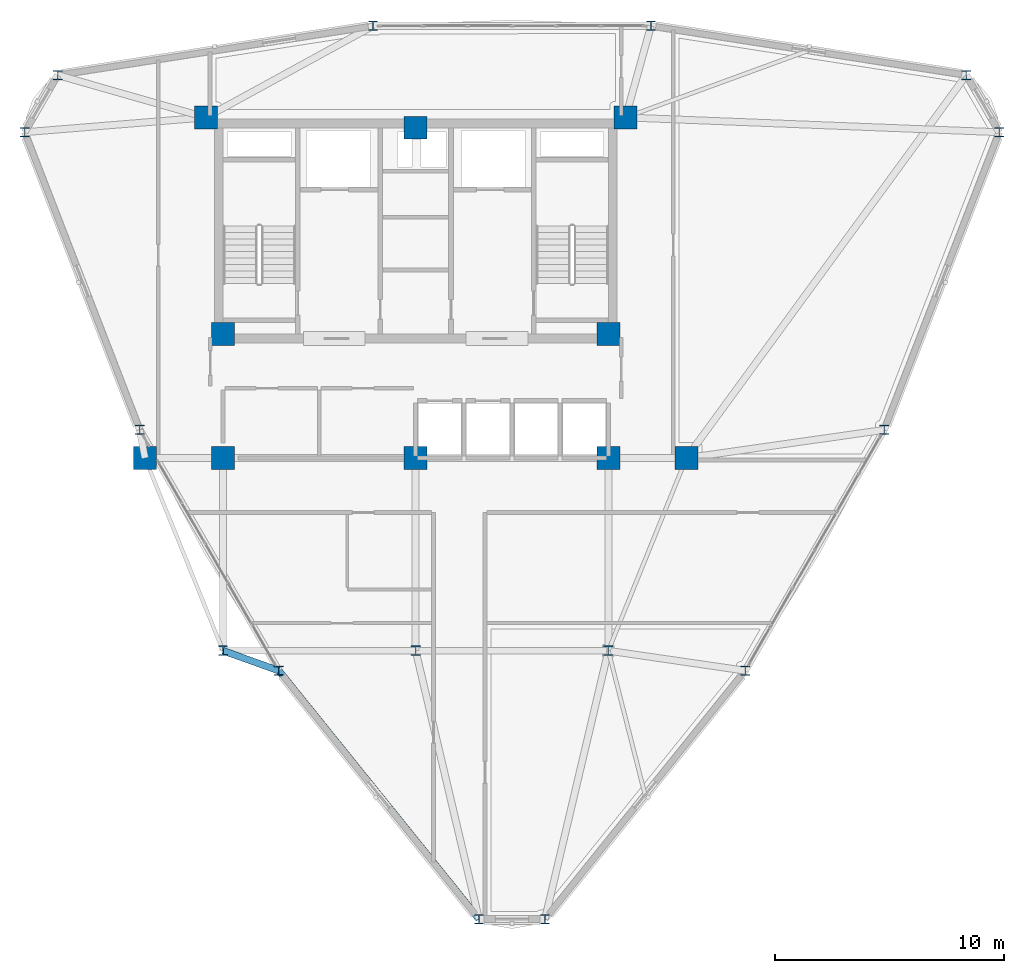
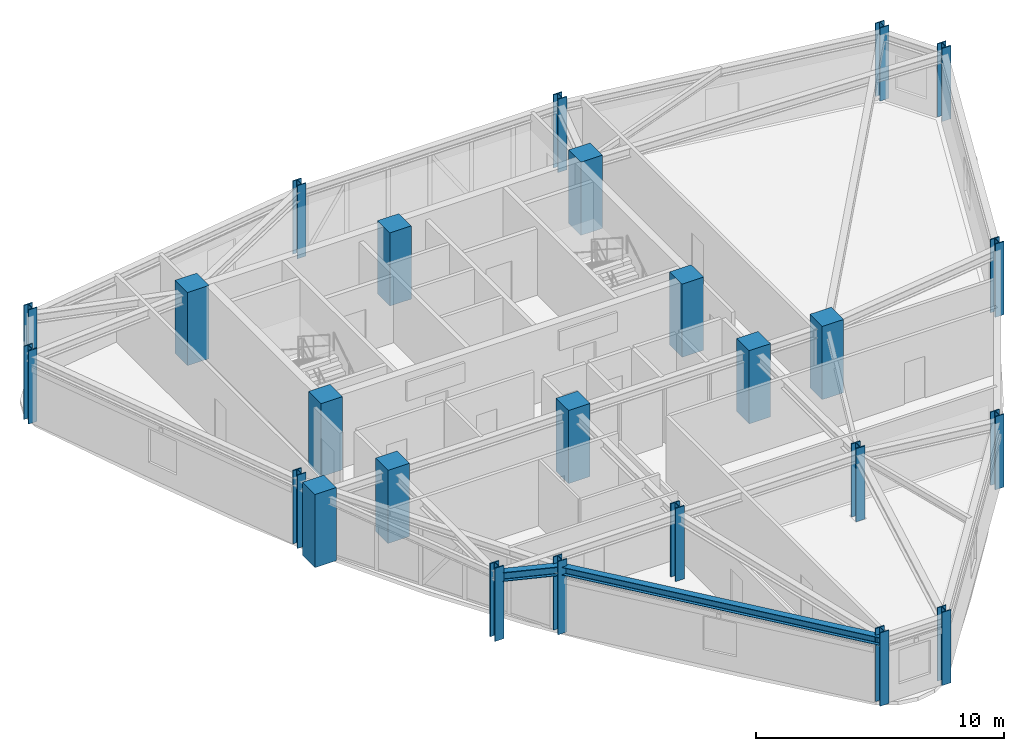
# One storey, part 1 of 16: 25 columns, 2 beams.
"""IFC4 building model written with IfcOpenShell, lengths in metres."""

from ifc_helpers import new_model, si_unit, derived_unit, direction, frame, origin, origin_2d, place, context, subcontext, project, spatial, rectangle, i_section, extrude, source, transform, mapped, material, material_profile, profile_set, type_object, element, save


model = new_model("IFC4")

# Units and contexts
model_context = context("Model", 3, precision=1e-05, world=origin(), true_north=direction((0.0, 1.0)))
body_context = subcontext(model_context, "Body", "Model", "MODEL_VIEW")
ifc_project = project(units=[si_unit("LENGTHUNIT", "METRE"), si_unit("AREAUNIT", "SQUARE_METRE"), si_unit("VOLUMEUNIT", "CUBIC_METRE"), si_unit("PLANEANGLEUNIT", "RADIAN"), si_unit("MASSUNIT", "GRAM", prefix="KILO"), derived_unit("THERMALTRANSMITTANCEUNIT", [(si_unit("POWERUNIT", "WATT"), 1), (si_unit("LENGTHUNIT", "METRE"), -2), (si_unit("THERMODYNAMICTEMPERATUREUNIT", "KELVIN"), -1)])], contexts=[model_context])

# Site, building, storey
site_placement = place(None, origin())
site = spatial("IfcSite", under=ifc_project, at=site_placement, CompositionType="ELEMENT")
building_placement = place(site_placement, origin())
building = spatial("IfcBuilding", under=site, at=building_placement, Name="Korsvarv Bourse and Concert Hall", CompositionType="ELEMENT")
storey_placement = place(building_placement, frame((0.0, 0.0, 234.60009765625)))
storey = spatial("IfcBuildingStorey", under=building, at=storey_placement, Name="L61", CompositionType="ELEMENT", Elevation=234.60009765625)

# Columns
ifc_material_1 = material(Name="Steel S355", Category="steel")
ifc_material_profile_1 = material_profile(ifc_material_1, i_section(OverallWidth=0.412109375, OverallDepth=0.43505859375, WebThickness=0.032958984375, FlangeThickness=0.052978515625, FilletRadius=0.014892578125, at=origin_2d()), Name="HD 400x463")
ifc_profile_set_1 = profile_set([ifc_material_profile_1], Name="Steel S355")
column_type_1 = type_object("IfcColumnType", Name="COL-HD463", PredefinedType="COLUMN", material=ifc_profile_set_1)
shared_shape_1 = source(origin(), body_context, "Body", "SweptSolid", [
    extrude(i_section(OverallWidth=0.412109375, OverallDepth=0.43505859375, WebThickness=0.032958984375, FlangeThickness=0.052978515625, FilletRadius=0.014892578125, at=origin_2d()), origin(), (0.0, 0.0, 1.0), 3.599853515625),
])
for number, where, z_axis, x_axis, name in (
    (1, (27.60009765625, 24.0, 0.0), (0.0, 0.0, 1.0), (1.0, 0.0, 0.0), "L61 column C-09"),
    (2, (44.39990234375, 24.0, 0.0), (0.0, 0.0, 1.0), (1.0, 0.0, 0.0), "L61 column C-09"),
    (3, (36.0, 24.0, 0.0), (0.0, 0.0, 1.0), (1.0, 0.0, 0.0), "L61 column C-09"),
):
    element("IfcColumn", number, at=place(storey_placement, frame(where, z_axis=z_axis, x_axis=x_axis)), inside=storey, type_object=column_type_1, Name=name, PredefinedType="COLUMN", context=body_context, shape_type="MappedRepresentation", body=[
        mapped(shared_shape_1, transform((0.0, 0.0, 0.0), scale=1.0)),
    ])
ifc_material_2 = material(Name="Concrete C55/67", Category="concrete")
ifc_material_profile_2 = material_profile(ifc_material_2, rectangle(XDim=1.0, YDim=1.0, at=origin_2d()), Name="RC 1000x1000")
ifc_profile_set_2 = profile_set([ifc_material_profile_2], Name="Concrete C55/67")
column_type_2 = type_object("IfcColumnType", Name="COL-RC1000", PredefinedType="COLUMN", material=ifc_profile_set_2)
shared_shape_2 = source(origin(), body_context, "Body", "SweptSolid", [
    extrude(rectangle(XDim=1.0, YDim=1.0, at=origin_2d()), origin(), (0.0, 0.0, 1.0), 3.599853515625),
])
for number, where, z_axis, x_axis, name in (
    (4, (26.85009765625, 47.25, 0.0), (0.0, 0.0, 1.0), (1.0, 0.0, 0.0), "L61 column C-03"),
    (5, (45.14990234375, 47.25, 0.0), (0.0, 0.0, 1.0), (1.0, 0.0, 0.0), "L61 column C-03"),
    (6, (27.60009765625, 37.800048828125, 0.0), (0.0, 0.0, 1.0), (1.0, 0.0, 0.0), "L61 column C-03"),
    (7, (44.39990234375, 37.800048828125, 0.0), (0.0, 0.0, 1.0), (1.0, 0.0, 0.0), "L61 column C-03"),
    (8, (27.60009765625, 32.39990234375, 0.0), (0.0, 0.0, 1.0), (1.0, 0.0, 0.0), "L61 column C-03"),
    (9, (44.39990234375, 32.39990234375, 0.0), (0.0, 0.0, 1.0), (1.0, 0.0, 0.0), "L61 column C-03"),
    (10, (36.0, 46.800048828125, 0.0), (0.0, 0.0, 1.0), (1.0, 0.0, 0.0), "L61 column C-03"),
    (11, (36.0, 32.39990234375, 0.0), (0.0, 0.0, 1.0), (1.0, 0.0, 0.0), "L61 column C-03"),
    (12, (24.199951171875, 32.39990234375, 0.0), (0.0, 0.0, 1.0), (1.0, 0.0, 0.0), "L61 column C-03"),
    (13, (47.800048828125, 32.39990234375, 0.0), (0.0, 0.0, 1.0), (1.0, 0.0, 0.0), "L61 column C-03"),
):
    element("IfcColumn", number, at=place(storey_placement, frame(where, z_axis=z_axis, x_axis=x_axis)), inside=storey, type_object=column_type_2, Name=name, PredefinedType="COLUMN", context=body_context, shape_type="MappedRepresentation", body=[
        mapped(shared_shape_2, transform((0.0, 0.0, 0.0), scale=1.0)),
    ])
ifc_material_profile_3 = material_profile(ifc_material_1, i_section(OverallWidth=0.406005859375, OverallDepth=0.416015625, WebThickness=0.027099609375, FlangeThickness=0.0439453125, FilletRadius=0.014892578125, at=origin_2d()), Name="HD 400x382")
ifc_profile_set_3 = profile_set([ifc_material_profile_3], Name="Steel S355")
column_type_3 = type_object("IfcColumnType", Name="COL-HD382", PredefinedType="COLUMN", material=ifc_profile_set_3)
shared_shape_3 = source(origin(), body_context, "Body", "SweptSolid", [
    extrude(i_section(OverallWidth=0.406005859375, OverallDepth=0.416015625, WebThickness=0.027099609375, FlangeThickness=0.0439453125, FilletRadius=0.014892578125, at=origin_2d()), origin(), (0.0, 0.0, 1.0), 3.599853515625),
])
for number, where, z_axis, x_axis, name in (
    (14, (61.447265625, 46.606201171875, 0.0), (0.0, 0.0, 1.0), (1.0, 0.0, 0.0), "L61 column C-10"),
    (15, (60.009033203125, 49.09765625, 0.0), (0.0, 0.0, 1.0), (1.0, 0.0, 0.0), "L61 column C-10"),
    (16, (46.26171875, 51.2412109375, 0.0), (0.0, 0.0, 1.0), (1.0, 0.0, 0.0), "L61 column C-10"),
    (17, (34.13818359375, 51.2412109375, 0.0), (0.0, 0.0, 1.0), (1.0, 0.0, 0.0), "L61 column C-10"),
    (18, (20.39111328125, 49.09765625, 0.0), (0.0, 0.0, 1.0), (1.0, 0.0, 0.0), "L61 column C-10"),
    (19, (18.95263671875, 46.606201171875, 0.0), (0.0, 0.0, 1.0), (1.0, 0.0, 0.0), "L61 column C-10"),
    (20, (23.969970703125, 33.629150390625, 0.0), (0.0, 0.0, 1.0), (1.0, 0.0, 0.0), "L61 column C-10"),
    (21, (30.03173828125, 23.1298828125, 0.0), (0.0, 0.0, 1.0), (1.0, 0.0, 0.0), "L61 column C-10"),
    (22, (38.76171875, 12.296142578125, 0.0), (0.0, 0.0, 1.0), (1.0, 0.0, 0.0), "L61 column C-10"),
    (23, (41.638427734375, 12.296142578125, 0.0), (0.0, 0.0, 1.0), (1.0, 0.0, 0.0), "L61 column C-10"),
    (24, (50.368408203125, 23.1298828125, 0.0), (0.0, 0.0, 1.0), (1.0, 0.0, 0.0), "L61 column C-10"),
    (25, (56.43017578125, 33.629150390625, 0.0), (0.0, 0.0, 1.0), (1.0, 0.0, 0.0), "L61 column C-10"),
):
    element("IfcColumn", number, at=place(storey_placement, frame(where, z_axis=z_axis, x_axis=x_axis)), inside=storey, type_object=column_type_3, Name=name, PredefinedType="COLUMN", context=body_context, shape_type="MappedRepresentation", body=[
        mapped(shared_shape_3, transform((0.0, 0.0, 0.0), scale=1.0)),
    ])

# Beams
ifc_material_profile_4 = material_profile(ifc_material_1, i_section(OverallWidth=0.300048828125, OverallDepth=0.389892578125, WebThickness=0.010986328125, FlangeThickness=0.01904296875, FilletRadius=0.02099609375, at=origin_2d()), Name="HEA 400")
ifc_profile_set_4 = profile_set([ifc_material_profile_4], Name="Steel S355")
beam_type_1 = type_object("IfcBeamType", Name="BM-HEA400", PredefinedType="BEAM", material=ifc_profile_set_4)
shared_shape_4 = source(origin(), body_context, "Body", "SweptSolid", [
    extrude(i_section(OverallWidth=0.300048828125, OverallDepth=0.389892578125, WebThickness=0.010986328125, FlangeThickness=0.01904296875, FilletRadius=0.02099609375, at=origin_2d()), origin(), (0.0, 0.0, 1.0), 13.913330078125),
])
beam_1_placement = place(storey_placement, frame((30.03173828125, 23.1298828125, 3.06494140625), z_axis=(0.627451613124, -0.778655554907, 0.0), x_axis=(0.778655554907, 0.627451613124, 0.0)))
element("IfcBeam", 26, at=beam_1_placement, inside=storey, type_object=beam_type_1, Name="L61 beam B-11", PredefinedType="BEAM", context=body_context, shape_type="MappedRepresentation", body=[
    mapped(shared_shape_4, transform((0.0, 0.0, 0.0), scale=1.0)),
])
ifc_material_profile_5 = material_profile(ifc_material_1, i_section(OverallWidth=0.300048828125, OverallDepth=0.449951171875, WebThickness=0.013916015625, FlangeThickness=0.02587890625, FilletRadius=0.02099609375, at=origin_2d()), Name="HEB 450")
ifc_profile_set_5 = profile_set([ifc_material_profile_5], Name="Steel S355")
beam_type_2 = type_object("IfcBeamType", Name="BM-HEB450", PredefinedType="SPANDREL", material=ifc_profile_set_5)
shared_shape_5 = source(origin(), body_context, "Body", "SweptSolid", [
    extrude(i_section(OverallWidth=0.300048828125, OverallDepth=0.449951171875, WebThickness=0.013916015625, FlangeThickness=0.02587890625, FilletRadius=0.02099609375, at=origin_2d()), origin(), (0.0, 0.0, 1.0), 2.58251953125),
])
beam_2_placement = place(storey_placement, frame((30.03173828125, 23.1298828125, 3.034912109375), z_axis=(-0.941536418254, 0.336911224363, 0.0), x_axis=(-0.336911224363, -0.941536418254, 0.0)))
element("IfcBeam", 27, at=beam_2_placement, inside=storey, type_object=beam_type_2, Name="L61 beam B-08", PredefinedType="SPANDREL", context=body_context, shape_type="MappedRepresentation", body=[
    mapped(shared_shape_5, transform((0.0, 0.0, 0.0), scale=1.0)),
])

save(model, "model.ifc")
